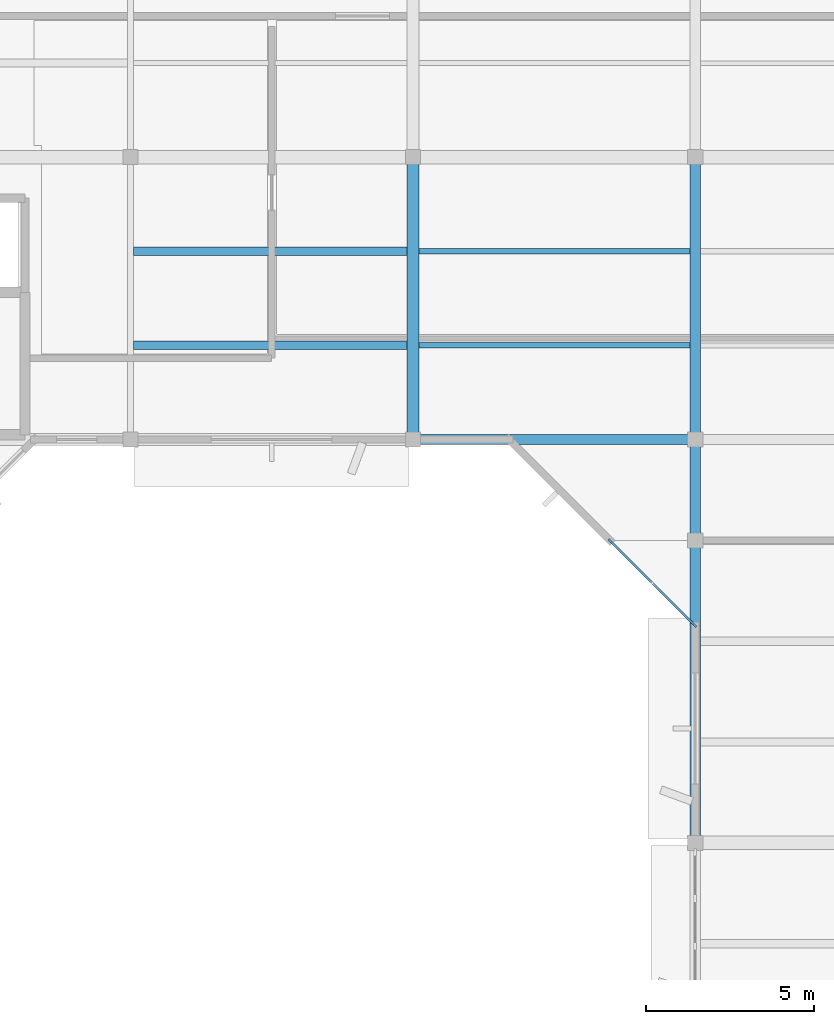
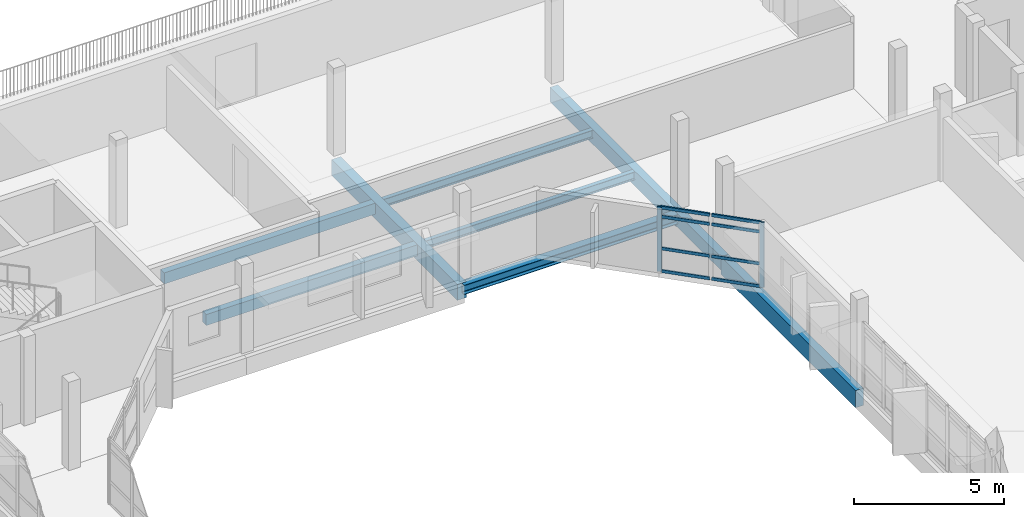
# One storey, part 10 of 42: 10 members, 9 beams, 1 element without a shape of its own.
"""IFC4 building model written with IfcOpenShell, lengths in metres."""

from ifc_helpers import new_model, si_unit, direction, frame, origin, origin_2d, place, context, subcontext, project, spatial, rectangle, i_section, extrude, material, material_profile, profile_set, type_object, element, aggregate, save


model = new_model("IFC4")

# Units and contexts
model_context = context("Model", 3, precision=1e-05, world=origin(), true_north=direction((0.0, 1.0)))
body_context = subcontext(model_context, "Body", "Model", "MODEL_VIEW")
ifc_project = project(units=[si_unit("LENGTHUNIT", "METRE"), si_unit("AREAUNIT", "SQUARE_METRE"), si_unit("VOLUMEUNIT", "CUBIC_METRE"), si_unit("PLANEANGLEUNIT", "RADIAN"), si_unit("MASSUNIT", "GRAM", prefix="KILO")], contexts=[model_context])

# Site, building, storey
site_placement = place(None, origin())
site = spatial("IfcSite", under=ifc_project, at=site_placement, CompositionType="ELEMENT")
building_placement = place(site_placement, origin())
building = spatial("IfcBuilding", under=site, at=building_placement, Name="Vanh Quang Courtyard School", CompositionType="ELEMENT")
storey_placement = place(building_placement, frame((0.0, 0.0, 15.0)))
storey = spatial("IfcBuildingStorey", under=building, at=storey_placement, Name="L04", CompositionType="ELEMENT", Elevation=15.0)

# Beams
ifc_material_1 = material(Name="Concrete C35/45", Category="concrete")
ifc_material_profile_1 = material_profile(ifc_material_1, rectangle(XDim=0.300048828125, YDim=0.550048828125, at=origin_2d()), Name="RC-BM 300x550")
ifc_profile_set_1 = profile_set([ifc_material_profile_1], Name="Concrete C35/45")
beam_type_1 = type_object("IfcBeamType", Name="BM-RC-300x550", PredefinedType="BEAM", material=ifc_profile_set_1)
beam_1_placement = place(storey_placement, frame((66.0, 68.39990234375, -0.534912109375), z_axis=(0.0, 1.0, 0.0), x_axis=(-1.0, 0.0, 0.0)))
element("IfcBeam", 1, at=beam_1_placement, inside=storey, type_object=beam_type_1, Name="Beam B-07 (L04)", PredefinedType="BEAM", context=body_context, shape_type="SweptSolid", body=[
    extrude(rectangle(XDim=0.300048828125, YDim=0.550048828125, at=origin_2d()), origin(), (0.0, 0.0, 1.0), 3.0),
])
ifc_material_profile_2 = material_profile(ifc_material_1, rectangle(XDim=0.300048828125, YDim=0.60009765625, at=origin_2d()), Name="RC-BM 300x600")
ifc_profile_set_2 = profile_set([ifc_material_profile_2], Name="Concrete C35/45")
beam_type_2 = type_object("IfcBeamType", Name="BM-RC-300x600", PredefinedType="BEAM", material=ifc_profile_set_2)
beam_2_placement = place(storey_placement, frame((66.0, 71.39990234375, -0.56005859375), z_axis=(0.0, 1.0, 0.0), x_axis=(-1.0, 0.0, 0.0)))
element("IfcBeam", 2, at=beam_2_placement, inside=storey, type_object=beam_type_2, Name="Beam B-06 (L04)", PredefinedType="BEAM", context=body_context, shape_type="SweptSolid", body=[
    extrude(rectangle(XDim=0.300048828125, YDim=0.60009765625, at=origin_2d()), origin(), (0.0, 0.0, 1.0), 8.400146484375),
])
ifc_material_profile_3 = material_profile(ifc_material_1, rectangle(XDim=0.35009765625, YDim=0.64990234375, at=origin_2d()), Name="RC-BM 350x650")
ifc_profile_set_3 = profile_set([ifc_material_profile_3], Name="Concrete C35/45")
beam_type_3 = type_object("IfcBeamType", Name="BM-RC-350x650", PredefinedType="BEAM", material=ifc_profile_set_3)
beam_3_placement = place(storey_placement, frame((57.60009765625, 71.39990234375, -0.5849609375), z_axis=(0.0, 1.0, 0.0), x_axis=(-1.0, 0.0, 0.0)))
element("IfcBeam", 3, at=beam_3_placement, inside=storey, type_object=beam_type_3, Name="Beam B-05 (L04)", PredefinedType="BEAM", context=body_context, shape_type="SweptSolid", body=[
    extrude(rectangle(XDim=0.35009765625, YDim=0.64990234375, at=origin_2d()), origin(), (0.0, 0.0, 1.0), 8.400146484375),
])
ifc_material_profile_4 = material_profile(ifc_material_1, rectangle(XDim=0.300048828125, YDim=0.699951171875, at=origin_2d()), Name="RC-SP 300x700")
ifc_profile_set_4 = profile_set([ifc_material_profile_4], Name="Concrete C35/45")
beam_type_4 = type_object("IfcBeamType", Name="BM-SP-300x700", PredefinedType="SPANDREL", material=ifc_profile_set_4)
beam_4_placement = place(storey_placement, frame((66.0, 59.39990234375, -0.610107421875), z_axis=(0.0, 1.0, 0.0), x_axis=(-1.0, 0.0, 0.0)))
element("IfcBeam", 4, at=beam_4_placement, inside=storey, type_object=beam_type_4, Name="Beam BS-01 (L04)", PredefinedType="SPANDREL", context=body_context, shape_type="SweptSolid", body=[
    extrude(rectangle(XDim=0.300048828125, YDim=0.699951171875, at=origin_2d()), origin(), (0.0, 0.0, 1.0), 9.0),
])
ifc_material_2 = material(Name="Structural steel EN 10025-2 S355J2", Category="steel")
ifc_material_profile_5 = material_profile(ifc_material_2, i_section(OverallWidth=0.300048828125, OverallDepth=0.389892578125, WebThickness=0.010986328125, FlangeThickness=0.01904296875, FilletRadius=0.027099609375, at=origin_2d()), Name="HEA 400")
ifc_profile_set_5 = profile_set([ifc_material_profile_5], Name="Structural steel EN 10025-2 S355J2")
beam_type_5 = type_object("IfcBeamType", Name="BM-STL-HEA400", PredefinedType="BEAM", material=ifc_profile_set_5)
beam_5_placement = place(storey_placement, frame((57.60009765625, 71.39990234375, -0.455078125), z_axis=(1.0, 0.0, 0.0), x_axis=(0.0, 1.0, 0.0)))
element("IfcBeam", 5, at=beam_5_placement, inside=storey, type_object=beam_type_5, Name="Beam SB-08 (L04)", PredefinedType="BEAM", context=body_context, shape_type="SweptSolid", body=[
    extrude(i_section(OverallWidth=0.300048828125, OverallDepth=0.389892578125, WebThickness=0.010986328125, FlangeThickness=0.01904296875, FilletRadius=0.027099609375, at=origin_2d()), origin(), (0.0, 0.0, 1.0), 8.39990234375),
])

# Curtain wall, members
ifc_material_3 = material(Name="Thermally broken aluminium unitised curtain wall", Category="aluminium")
curtain_wall_type = type_object("IfcCurtainWallType", Name="CW-SYS-41", PredefinedType="NOTDEFINED", material=ifc_material_3)
curtain_wall_placement = place(storey_placement, origin())
curtain_wall = element("IfcCurtainWall", 6, at=curtain_wall_placement, inside=storey, type_object=curtain_wall_type, Name="Curtain Wall CW-41 (L04)", PredefinedType="NOTDEFINED")
ifc_material_4 = material(Name="Anodised aluminium 6063-T6", Category="aluminium")
ifc_material_profile_6 = material_profile(ifc_material_4, rectangle(XDim=0.06005859375, YDim=0.159912109375, at=origin_2d()), Name="ALU-MUL 60x160")
ifc_profile_set_6 = profile_set([ifc_material_profile_6], Name="Anodised aluminium 6063-T6")
member_type_1 = type_object("IfcMemberType", Name="CW-MUL-60x160", PredefinedType="MULLION", material=ifc_profile_set_6)
member_1_placement = place(storey_placement, frame((65.978759765625, 65.877197265625, 0.0), z_axis=(0.0, 0.0, 1.0), x_axis=(-0.707106781187, -0.707106781187, 0.0)))
member_1 = element("IfcMember", 7, at=member_1_placement, type_object=member_type_1, Name="CW-41 mullion 1", PredefinedType="MULLION", context=body_context, shape_type="SweptSolid", body=[
    extrude(rectangle(XDim=0.06005859375, YDim=0.159912109375, at=origin_2d()), origin(), (0.0, 0.0, 1.0), 2.64990234375),
])
member_2_placement = place(storey_placement, frame((63.477294921875, 68.37890625, 0.0), z_axis=(0.0, 0.0, 1.0), x_axis=(-0.707106781187, -0.707106781187, 0.0)))
member_2 = element("IfcMember", 8, at=member_2_placement, type_object=member_type_1, Name="CW-41 mullion 3", PredefinedType="MULLION", context=body_context, shape_type="SweptSolid", body=[
    extrude(rectangle(XDim=0.06005859375, YDim=0.159912109375, at=origin_2d()), origin(), (0.0, 0.0, 1.0), 2.64990234375),
])
ifc_material_profile_7 = material_profile(ifc_material_4, rectangle(XDim=0.06005859375, YDim=0.1201171875, at=origin_2d()), Name="ALU-TRN 60x120")
ifc_profile_set_7 = profile_set([ifc_material_profile_7], Name="Anodised aluminium 6063-T6")
member_type_2 = type_object("IfcMemberType", Name="CW-TRN-60x120", PredefinedType="USERDEFINED", material=ifc_profile_set_7)
member_3_placement = place(storey_placement, frame((65.95751953125, 65.8984375, 0.030029296875), z_axis=(-0.707106781187, 0.707106781187, 0.0), x_axis=(-0.707106781187, -0.707106781187, 0.0)))
member_3 = element("IfcMember", 9, at=member_3_placement, type_object=member_type_2, Name="CW-41 transom 1.1", ObjectType="TRANSOM", PredefinedType="USERDEFINED", context=body_context, shape_type="SweptSolid", body=[
    extrude(rectangle(XDim=0.06005859375, YDim=0.1201171875, at=origin_2d()), origin(), (0.0, 0.0, 1.0), 1.708740234375),
])
member_4_placement = place(storey_placement, frame((65.95751953125, 65.8984375, 0.949951171875), z_axis=(-0.707106781187, 0.707106781187, 0.0), x_axis=(-0.707106781187, -0.707106781187, 0.0)))
member_4 = element("IfcMember", 10, at=member_4_placement, type_object=member_type_2, Name="CW-41 transom 1.2", ObjectType="TRANSOM", PredefinedType="USERDEFINED", context=body_context, shape_type="SweptSolid", body=[
    extrude(rectangle(XDim=0.06005859375, YDim=0.1201171875, at=origin_2d()), origin(), (0.0, 0.0, 1.0), 1.708740234375),
])
member_5_placement = place(storey_placement, frame((65.95751953125, 65.8984375, 2.25), z_axis=(-0.707106781187, 0.707106781187, 0.0), x_axis=(-0.707106781187, -0.707106781187, 0.0)))
member_5 = element("IfcMember", 11, at=member_5_placement, type_object=member_type_2, Name="CW-41 transom 1.3", ObjectType="TRANSOM", PredefinedType="USERDEFINED", context=body_context, shape_type="SweptSolid", body=[
    extrude(rectangle(XDim=0.06005859375, YDim=0.1201171875, at=origin_2d()), origin(), (0.0, 0.0, 1.0), 1.708740234375),
])
member_6_placement = place(storey_placement, frame((65.95751953125, 65.8984375, 2.6201171875), z_axis=(-0.707106781187, 0.707106781187, 0.0), x_axis=(-0.707106781187, -0.707106781187, 0.0)))
member_6 = element("IfcMember", 12, at=member_6_placement, type_object=member_type_2, Name="CW-41 transom 1.4", ObjectType="TRANSOM", PredefinedType="USERDEFINED", context=body_context, shape_type="SweptSolid", body=[
    extrude(rectangle(XDim=0.06005859375, YDim=0.1201171875, at=origin_2d()), origin(), (0.0, 0.0, 1.0), 1.708740234375),
])
member_7_placement = place(storey_placement, frame((64.706787109375, 67.149169921875, 0.030029296875), z_axis=(-0.707035345436, 0.707178209721, 0.0), x_axis=(-0.707178209721, -0.707035345436, 0.0)))
member_7 = element("IfcMember", 13, at=member_7_placement, type_object=member_type_2, Name="CW-41 transom 2.1", ObjectType="TRANSOM", PredefinedType="USERDEFINED", context=body_context, shape_type="SweptSolid", body=[
    extrude(rectangle(XDim=0.06005859375, YDim=0.1201171875, at=origin_2d()), origin(), (0.0, 0.0, 1.0), 1.708984375),
])
member_8_placement = place(storey_placement, frame((64.706787109375, 67.149169921875, 0.949951171875), z_axis=(-0.707035345436, 0.707178209721, 0.0), x_axis=(-0.707178209721, -0.707035345436, 0.0)))
member_8 = element("IfcMember", 14, at=member_8_placement, type_object=member_type_2, Name="CW-41 transom 2.2", ObjectType="TRANSOM", PredefinedType="USERDEFINED", context=body_context, shape_type="SweptSolid", body=[
    extrude(rectangle(XDim=0.06005859375, YDim=0.1201171875, at=origin_2d()), origin(), (0.0, 0.0, 1.0), 1.708984375),
])
member_9_placement = place(storey_placement, frame((64.706787109375, 67.149169921875, 2.25), z_axis=(-0.707035345436, 0.707178209721, 0.0), x_axis=(-0.707178209721, -0.707035345436, 0.0)))
member_9 = element("IfcMember", 15, at=member_9_placement, type_object=member_type_2, Name="CW-41 transom 2.3", ObjectType="TRANSOM", PredefinedType="USERDEFINED", context=body_context, shape_type="SweptSolid", body=[
    extrude(rectangle(XDim=0.06005859375, YDim=0.1201171875, at=origin_2d()), origin(), (0.0, 0.0, 1.0), 1.708984375),
])
member_10_placement = place(storey_placement, frame((64.706787109375, 67.149169921875, 2.6201171875), z_axis=(-0.707035345436, 0.707178209721, 0.0), x_axis=(-0.707178209721, -0.707035345436, 0.0)))
member_10 = element("IfcMember", 16, at=member_10_placement, type_object=member_type_2, Name="CW-41 transom 2.4", ObjectType="TRANSOM", PredefinedType="USERDEFINED", context=body_context, shape_type="SweptSolid", body=[
    extrude(rectangle(XDim=0.06005859375, YDim=0.1201171875, at=origin_2d()), origin(), (0.0, 0.0, 1.0), 1.708984375),
])
aggregate(curtain_wall, [member_1, member_2, member_3, member_4, member_5, member_6, member_7, member_8, member_9, member_10])

# Beams
ifc_material_5 = material(Name="Concrete C30/37", Category="concrete")
ifc_material_profile_8 = material_profile(ifc_material_5, rectangle(XDim=0.25, YDim=0.449951171875, at=origin_2d()), Name="RC-JST 250x450")
ifc_profile_set_8 = profile_set([ifc_material_profile_8], Name="Concrete C30/37")
beam_type_6 = type_object("IfcBeamType", Name="JST-RC-250x450", PredefinedType="JOIST", material=ifc_profile_set_8)
for number, where, z_axis, x_axis, name in (
    (17, (49.284912109375, 74.199951171875, -0.485107421875), (1.0, 0.0, 0.0), (0.0, 1.0, 0.0), "Beam BJ-02 (L04)"),
    (18, (49.284912109375, 77.0, -0.485107421875), (1.0, 0.0, 0.0), (0.0, 1.0, 0.0), "Beam BJ-02 (L04)"),
):
    element("IfcBeam", number, at=place(storey_placement, frame(where, z_axis=z_axis, x_axis=x_axis)), inside=storey, type_object=beam_type_6, Name=name, PredefinedType="JOIST", context=body_context, shape_type="SweptSolid", body=[
        extrude(rectangle(XDim=0.25, YDim=0.449951171875, at=origin_2d()), origin(), (0.0, 0.0, 1.0), 8.14013671875),
    ])
ifc_material_profile_9 = material_profile(ifc_material_2, i_section(OverallWidth=0.159912109375, OverallDepth=0.330078125, WebThickness=0.007568359375, FlangeThickness=0.011474609375, FilletRadius=0.01806640625, at=origin_2d()), Name="IPE 330")
ifc_profile_set_9 = profile_set([ifc_material_profile_9], Name="Structural steel EN 10025-2 S355J2")
beam_type_7 = type_object("IfcBeamType", Name="JST-STL-IPE330", PredefinedType="JOIST", material=ifc_profile_set_9)
for number, where, z_axis, x_axis, name in (
    (19, (57.77490234375, 74.199951171875, -0.425048828125), (1.0, 0.0, 0.0), (0.0, 1.0, 0.0), "Beam SJ-01 (L04)"),
    (20, (57.77490234375, 77.0, -0.425048828125), (1.0, 0.0, 0.0), (0.0, 1.0, 0.0), "Beam SJ-01 (L04)"),
):
    element("IfcBeam", number, at=place(storey_placement, frame(where, z_axis=z_axis, x_axis=x_axis)), inside=storey, type_object=beam_type_7, Name=name, PredefinedType="JOIST", context=body_context, shape_type="SweptSolid", body=[
        extrude(i_section(OverallWidth=0.159912109375, OverallDepth=0.330078125, WebThickness=0.007568359375, FlangeThickness=0.011474609375, FilletRadius=0.01806640625, at=origin_2d()), origin(), (0.0, 0.0, 1.0), 8.0751953125),
    ])

save(model, "model.ifc")
